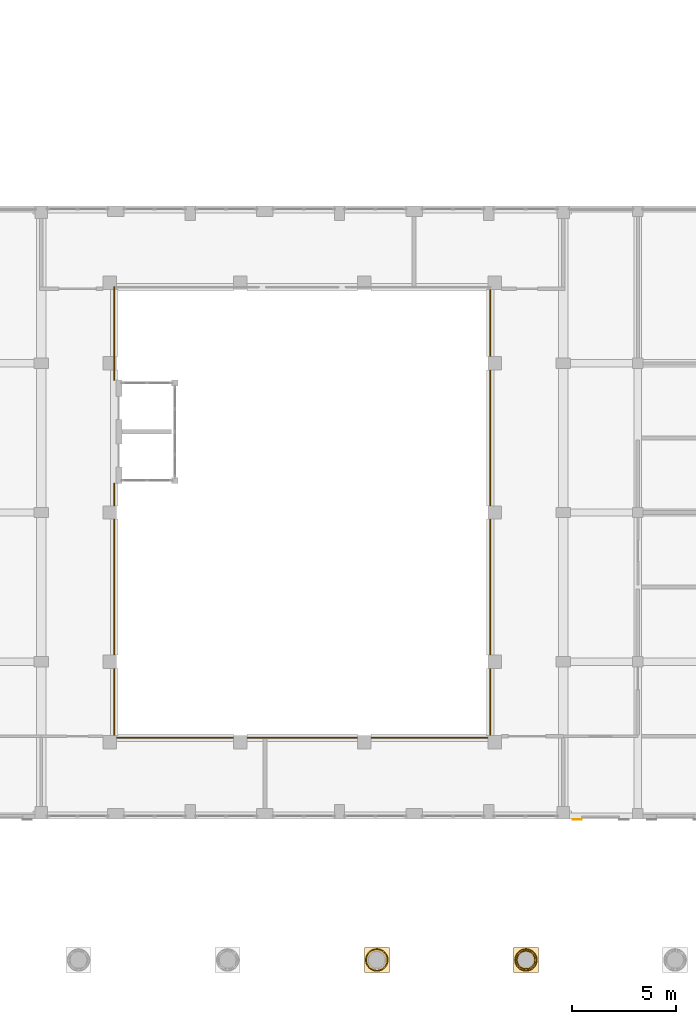
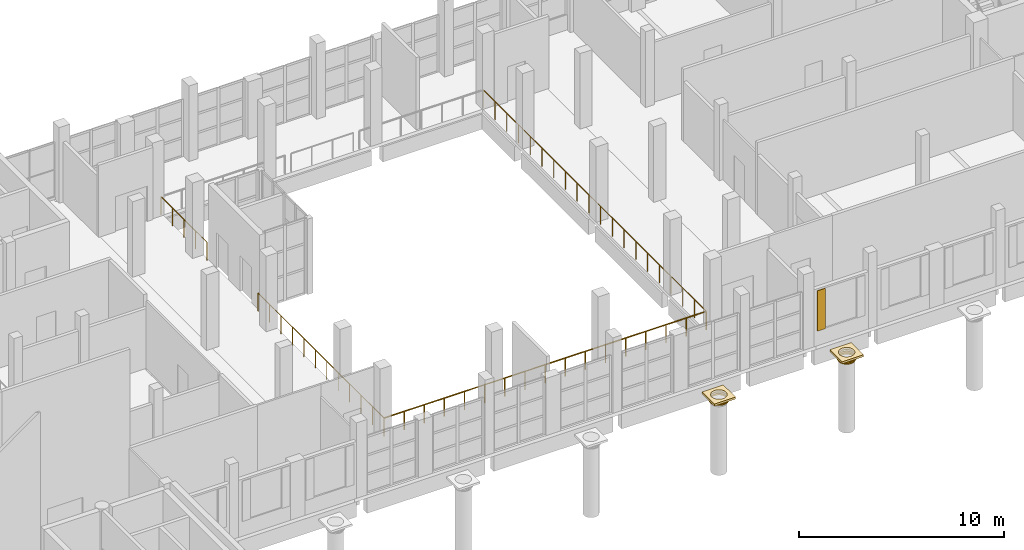
# One storey, part 36 of 59: 7 coverings, 4 railings, 1 shading device.
"""IFC4 building model written with IfcOpenShell, lengths in metres."""

import ifcopenshell
import ifcopenshell.guid

model = None  # the IFC model being written
_history = None  # IfcOwnerHistory: only IFC2X3 demands one
_inside = {}  # id of a spatial element -> (the spatial element, [elements in it])
_under = {}  # id of a project, library or spatial element -> (it, [spatial elements below it])
_declared = {}  # id of a project -> (the project, [libraries it declares])
_typed = {}  # id of a type object -> (the type object, [elements of that type])
_made_of = {}  # id of a material, layer set ... -> (it, [elements and type objects made of it])


def new_model(schema):
    """Start an empty IFC model of exactly this schema.

    Asked for "IFC4X3", IfcOpenShell would pick the latest addendum, in which some entities
    have other attributes; the version numbers below select the first issue.
    IFC2X3 requires an IfcOwnerHistory on every rooted entity: one is made here for all.
    """
    global model, _history
    if schema == "IFC4X3":
        model = ifcopenshell.file(schema_version=(4, 3, 0, 0))
    else:
        model = ifcopenshell.file(schema=schema)
    _inside.clear()
    _under.clear()
    _declared.clear()
    _typed.clear()
    _made_of.clear()
    _history = None
    if model.schema == "IFC2X3":
        org = make("IfcOrganization", Name="unknown")
        user = make(
            "IfcPersonAndOrganization",
            ThePerson=make("IfcPerson", FamilyName="unknown"),
            TheOrganization=org,
        )
        app = make(
            "IfcApplication",
            ApplicationDeveloper=org,
            Version="unknown",
            ApplicationFullName="unknown",
            ApplicationIdentifier="unknown",
        )
        _history = make(
            "IfcOwnerHistory",
            OwningUser=user,
            OwningApplication=app,
            ChangeAction="ADDED",
            CreationDate=0,
        )
    return model


def make(cls, **values):
    """One entity of the class cls with the attributes given. An attribute that is None is left unset."""
    return model.create_entity(
        cls, **{name: value for name, value in values.items() if value is not None}
    )


def rooted(cls, **values):
    """An entity with a GlobalId (a new one), such as an element, a storey or a relation."""
    return make(cls, GlobalId=ifcopenshell.guid.new(), OwnerHistory=_history, **values)


def si_unit(unit_type, name, prefix=None):
    """IfcSIUnit, for example si_unit("LENGTHUNIT", "METRE", prefix="MILLI")."""
    return make("IfcSIUnit", UnitType=unit_type, Prefix=prefix, Name=name)


def assignment(units):
    """IfcUnitAssignment: the units of a project."""
    return None if units is None else make("IfcUnitAssignment", Units=units)


def point(xyz):
    """IfcCartesianPoint."""
    return None if xyz is None else make("IfcCartesianPoint", Coordinates=xyz)


def direction(xyz):
    """IfcDirection."""
    return None if xyz is None else make("IfcDirection", DirectionRatios=xyz)


def frame(location, z_axis=None, x_axis=None):
    """IfcAxis2Placement3D, a coordinate frame: its origin and axes. An axis left out is left unset."""
    return make(
        "IfcAxis2Placement3D",
        Location=point(location),
        Axis=direction(z_axis),
        RefDirection=direction(x_axis),
    )


def frame_2d(location, x_axis=None):
    """IfcAxis2Placement2D, a coordinate frame in the plane: its origin and x axis."""
    return make(
        "IfcAxis2Placement2D", Location=point(location), RefDirection=direction(x_axis)
    )


def origin():
    """The frame at (0, 0, 0) with its axes left unset."""
    return frame((0.0, 0.0, 0.0))


def origin_2d():
    """The frame at (0, 0) in the plane with its x axis left unset."""
    return frame_2d((0.0, 0.0))


def place(relative_to, where):
    """IfcLocalPlacement: puts the frame where relative to a parent placement (None: the world)."""
    return make(
        "IfcLocalPlacement", PlacementRelTo=relative_to, RelativePlacement=where
    )


def context(
    kind, dimensions, precision=None, world=None, true_north=None, identifier=None
):
    """IfcGeometricRepresentationContext, for example the 3D "Model" context."""
    return make(
        "IfcGeometricRepresentationContext",
        ContextIdentifier=identifier,
        ContextType=kind,
        CoordinateSpaceDimension=dimensions,
        Precision=precision,
        WorldCoordinateSystem=world,
        TrueNorth=true_north,
    )


def subcontext(parent, identifier, kind, view, scale=None):
    """IfcGeometricRepresentationSubContext, for example "Body" below "Model"."""
    return make(
        "IfcGeometricRepresentationSubContext",
        ContextIdentifier=identifier,
        ContextType=kind,
        ParentContext=parent,
        TargetScale=scale,
        TargetView=view,
    )


def project(units=None, contexts=None):
    """IfcProject with its units and contexts."""
    return rooted(
        "IfcProject",
        Name="project",
        RepresentationContexts=contexts,
        UnitsInContext=assignment(units),
    )


def spatial(cls, under=None, at=None, **own):
    """A site, building, storey or space (cls), placed at a placement, below another one or the project."""
    s = rooted(cls, ObjectPlacement=at, **own)
    if under is not None:
        _under.setdefault(under.id(), (under, []))[1].append(s)
    return s


def polyline(points):
    """IfcPolyline through the points."""
    return make("IfcPolyline", Points=[point(p) for p in points])


def profile(cls, at=None, kind="AREA", **sizes):
    """A parametric profile (cls). Its sizes go by their IFC names, for example OverallWidth=200.0."""
    return make(cls, ProfileType=kind, Position=at, **sizes)


def rectangle(**sizes):
    """IfcRectangleProfileDef."""
    return profile("IfcRectangleProfileDef", **sizes)


def circle(**sizes):
    """IfcCircleProfileDef."""
    return profile("IfcCircleProfileDef", **sizes)


def outline(outer, holes=None, kind="AREA"):
    """IfcArbitraryClosedProfileDef: a profile drawn as a closed curve; with holes, ...WithVoids."""
    if holes is None:
        return make("IfcArbitraryClosedProfileDef", ProfileType=kind, OuterCurve=outer)
    return make(
        "IfcArbitraryProfileDefWithVoids",
        ProfileType=kind,
        OuterCurve=outer,
        InnerCurves=holes,
    )


def extrude(swept, where, along, depth):
    """IfcExtrudedAreaSolid: the profile swept, set in the frame where, extruded along a direction by depth."""
    return make(
        "IfcExtrudedAreaSolid",
        SweptArea=swept,
        Position=where,
        ExtrudedDirection=direction(along),
        Depth=depth,
    )


def shape(context_of_items, identifier, shape_type, items):
    """IfcShapeRepresentation: the items that make up one representation, for example the "Body"."""
    return make(
        "IfcShapeRepresentation",
        ContextOfItems=context_of_items,
        RepresentationIdentifier=identifier,
        RepresentationType=shape_type,
        Items=items,
    )


def material(Name=None, Category=None):
    """IfcMaterial."""
    return make("IfcMaterial", Name=Name, Category=Category)


def layer(
    of_material, thickness, ventilated=None, Name=None, Category=None, Priority=None
):
    """IfcMaterialLayer: one layer of a wall or slab, of a material (None: an air gap)."""
    return make(
        "IfcMaterialLayer",
        Material=of_material,
        LayerThickness=thickness,
        IsVentilated=ventilated,
        Name=Name,
        Category=Category,
        Priority=Priority,
    )


def layer_set(layers, Name=None):
    """IfcMaterialLayerSet."""
    return make("IfcMaterialLayerSet", MaterialLayers=layers, LayerSetName=Name)


def made_of(thing, what):
    """Note that an element or type object is made of a material, layer set ...; save() writes the relation."""
    if what is not None:
        _made_of.setdefault(what.id(), (what, []))[1].append(thing)
    return thing


def type_object(cls, material=None, **own):
    """A type object (cls), such as IfcWallType, which elements share."""
    return made_of(rooted(cls, **own), material)


def element(
    cls,
    number,
    at=None,
    inside=None,
    cuts=None,
    type_object=None,
    material=None,
    context=None,
    identifier="Body",
    shape_type=None,
    held_by="IfcProductDefinitionShape",
    body=None,
    shapes=None,
    **own,
):
    """One element of the class cls, such as IfcWall. Its Tag is "e" and its number.

    at: its placement. inside: the storey or other place that contains it. cuts: it is an
    opening in that element (IfcRelVoidsElement). A single representation is given by context,
    identifier, shape_type and body (its items); several are given by shapes. held_by: the class
    of the entity that holds the representations. save() writes the other relations.
    """
    e = rooted(cls, Tag="e%d" % number, ObjectPlacement=at, **own)
    if body is not None:
        shapes = [shape(context, identifier, shape_type, body)]
    if shapes is not None:
        e.Representation = make(held_by, Representations=shapes)
    if inside is not None:
        _inside.setdefault(inside.id(), (inside, []))[1].append(e)
    if cuts is not None:
        rooted(
            "IfcRelVoidsElement", RelatingBuildingElement=cuts, RelatedOpeningElement=e
        )
    if type_object is not None:
        _typed.setdefault(type_object.id(), (type_object, []))[1].append(e)
    return made_of(e, material)


def aggregate(whole, parts):
    """IfcRelAggregates: a whole, such as a stair, and the parts it consists of."""
    return rooted("IfcRelAggregates", RelatingObject=whole, RelatedObjects=parts)


def save(model, path):
    """Write the relations noted so far, then the file.

    IfcRelAggregates (storeys below a building ...), IfcRelContainedInSpatialStructure (elements
    in a storey), IfcRelDefinesByType, IfcRelAssociatesMaterial and IfcRelDeclares: one each for
    every whole, place, type object, material and project.
    """
    for whole, parts in _under.values():
        aggregate(whole, parts)
    for where, things in _inside.values():
        rooted(
            "IfcRelContainedInSpatialStructure",
            RelatedElements=things,
            RelatingStructure=where,
        )
    for kind, things in _typed.values():
        rooted("IfcRelDefinesByType", RelatedObjects=things, RelatingType=kind)
    for what, things in _made_of.values():
        rooted("IfcRelAssociatesMaterial", RelatedObjects=things, RelatingMaterial=what)
    for by, libraries in _declared.values():
        rooted("IfcRelDeclares", RelatingContext=by, RelatedDefinitions=libraries)
    model.write(path)


model = new_model("IFC4")

# Units and contexts
model_context = context("Model", 3, precision=1e-05, world=origin(), true_north=direction((0.0, 1.0)))
body_context = subcontext(model_context, "Body", "Model", "MODEL_VIEW")
ifc_project = project(units=[si_unit("LENGTHUNIT", "METRE"), si_unit("AREAUNIT", "SQUARE_METRE"), si_unit("VOLUMEUNIT", "CUBIC_METRE"), si_unit("PLANEANGLEUNIT", "RADIAN"), si_unit("MASSUNIT", "GRAM", prefix="KILO")], contexts=[model_context])

# Site, building, storey
site_placement = place(None, origin())
site = spatial("IfcSite", under=ifc_project, at=site_placement, CompositionType="ELEMENT")
building_placement = place(site_placement, origin())
building = spatial("IfcBuilding", under=site, at=building_placement, Name="Ussher Court Research Institute", CompositionType="ELEMENT")
storey_placement = place(building_placement, frame((0.0, 0.0, 5.39990234375)))
storey = spatial("IfcBuildingStorey", under=building, at=storey_placement, Name="L01", CompositionType="ELEMENT", Elevation=5.39990234375)

# Coverings
ifc_material_1 = material(Name="Limestone cornice", Category="masonry")
covering_type_1 = type_object("IfcCoveringType", Name="Column abacus 800 1200x120", PredefinedType="CLADDING", material=ifc_material_1)
covering_1_placement = place(storey_placement, frame((0.0, 0.0, 4.420166015625)))
element("IfcCovering", 1, at=covering_1_placement, inside=storey, type_object=covering_type_1, Name="Column capital CC19", PredefinedType="CLADDING", context=body_context, shape_type="SweptSolid", body=[
    extrude(outline(polyline([(55.800048828125, 3.39990234375), (55.800048828125, 4.60009765625), (54.60009765625, 4.60009765625), (54.60009765625, 3.39990234375), (55.800048828125, 3.39990234375)]), holes=[polyline([(55.600830078125, 4.0), (55.597412109375, 4.05224609375), (55.587158203125, 4.103759765625), (55.5703125, 4.1533203125), (55.547119140625, 4.200439453125), (55.51806640625, 4.243896484375), (55.4833984375, 4.283447265625), (55.444091796875, 4.318115234375), (55.400390625, 4.34716796875), (55.353515625, 4.370361328125), (55.3037109375, 4.38720703125), (55.252197265625, 4.3974609375), (55.199951171875, 4.40087890625), (55.147705078125, 4.3974609375), (55.09619140625, 4.38720703125), (55.046630859375, 4.370361328125), (54.99951171875, 4.34716796875), (54.9560546875, 4.318115234375), (54.91650390625, 4.283447265625), (54.882080078125, 4.243896484375), (54.852783203125, 4.200439453125), (54.82958984375, 4.1533203125), (54.812744140625, 4.103759765625), (54.802490234375, 4.05224609375), (54.799072265625, 4.0), (54.802490234375, 3.94775390625), (54.812744140625, 3.896240234375), (54.82958984375, 3.8466796875), (54.852783203125, 3.799560546875), (54.882080078125, 3.756103515625), (54.91650390625, 3.716552734375), (54.9560546875, 3.681884765625), (54.99951171875, 3.65283203125), (55.046630859375, 3.629638671875), (55.09619140625, 3.61279296875), (55.147705078125, 3.6025390625), (55.199951171875, 3.59912109375), (55.252197265625, 3.6025390625), (55.3037109375, 3.61279296875), (55.353515625, 3.629638671875), (55.400390625, 3.65283203125), (55.444091796875, 3.681884765625), (55.4833984375, 3.716552734375), (55.51806640625, 3.756103515625), (55.547119140625, 3.799560546875), (55.5703125, 3.8466796875), (55.587158203125, 3.896240234375), (55.597412109375, 3.94775390625), (55.600830078125, 4.0)])]), origin(), (0.0, 0.0, 1.0), 0.119873046875),
])
covering_2_placement = place(storey_placement, frame((0.0, 0.0, 4.420166015625)))
element("IfcCovering", 2, at=covering_2_placement, inside=storey, type_object=covering_type_1, Name="Column capital CC19", PredefinedType="CLADDING", context=body_context, shape_type="SweptSolid", body=[
    extrude(outline(polyline([(63.0, 3.39990234375), (63.0, 4.60009765625), (61.800048828125, 4.60009765625), (61.800048828125, 3.39990234375), (63.0, 3.39990234375)]), holes=[polyline([(62.80078125, 4.0), (62.79736328125, 4.05224609375), (62.787109375, 4.103759765625), (62.770263671875, 4.1533203125), (62.747314453125, 4.200439453125), (62.718017578125, 4.243896484375), (62.683349609375, 4.283447265625), (62.64404296875, 4.318115234375), (62.600341796875, 4.34716796875), (62.553466796875, 4.370361328125), (62.503662109375, 4.38720703125), (62.452392578125, 4.3974609375), (62.39990234375, 4.40087890625), (62.34765625, 4.3974609375), (62.29638671875, 4.38720703125), (62.24658203125, 4.370361328125), (62.19970703125, 4.34716796875), (62.156005859375, 4.318115234375), (62.11669921875, 4.283447265625), (62.08203125, 4.243896484375), (62.052734375, 4.200439453125), (62.02978515625, 4.1533203125), (62.0126953125, 4.103759765625), (62.002685546875, 4.05224609375), (61.9990234375, 4.0), (62.002685546875, 3.94775390625), (62.0126953125, 3.896240234375), (62.02978515625, 3.8466796875), (62.052734375, 3.799560546875), (62.08203125, 3.756103515625), (62.11669921875, 3.716552734375), (62.156005859375, 3.681884765625), (62.19970703125, 3.65283203125), (62.24658203125, 3.629638671875), (62.29638671875, 3.61279296875), (62.34765625, 3.6025390625), (62.39990234375, 3.59912109375), (62.452392578125, 3.6025390625), (62.503662109375, 3.61279296875), (62.553466796875, 3.629638671875), (62.600341796875, 3.65283203125), (62.64404296875, 3.681884765625), (62.683349609375, 3.716552734375), (62.718017578125, 3.756103515625), (62.747314453125, 3.799560546875), (62.770263671875, 3.8466796875), (62.787109375, 3.896240234375), (62.79736328125, 3.94775390625), (62.80078125, 4.0)])]), origin(), (0.0, 0.0, 1.0), 0.119873046875),
])
ifc_material_2 = material(Name="Limestone cornice", Category="masonry")
covering_type_2 = type_object("IfcCoveringType", Name="Column capital echinus 800 1000x100", PredefinedType="CLADDING", material=ifc_material_2)
covering_3_placement = place(storey_placement, frame((0.0, 0.0, 4.22021484375)))
element("IfcCovering", 3, at=covering_3_placement, inside=storey, type_object=covering_type_2, Name="Column capital CC17", PredefinedType="CLADDING", context=body_context, shape_type="SweptSolid", body=[
    extrude(outline(polyline([(55.699951171875, 4.0), (55.69580078125, 4.065185546875), (55.68310546875, 4.12939453125), (55.661865234375, 4.19140625), (55.633056640625, 4.25), (55.5966796875, 4.304443359375), (55.5537109375, 4.353515625), (55.50439453125, 4.396728515625), (55.449951171875, 4.43310546875), (55.391357421875, 4.4619140625), (55.329345703125, 4.48291015625), (55.265380859375, 4.49560546875), (55.199951171875, 4.5), (55.134765625, 4.49560546875), (55.070556640625, 4.48291015625), (55.0087890625, 4.4619140625), (54.949951171875, 4.43310546875), (54.8955078125, 4.396728515625), (54.846435546875, 4.353515625), (54.80322265625, 4.304443359375), (54.76708984375, 4.25), (54.738037109375, 4.19140625), (54.717041015625, 4.12939453125), (54.704345703125, 4.065185546875), (54.699951171875, 4.0), (54.704345703125, 3.934814453125), (54.717041015625, 3.87060546875), (54.738037109375, 3.80859375), (54.76708984375, 3.75), (54.80322265625, 3.695556640625), (54.846435546875, 3.646484375), (54.8955078125, 3.603271484375), (54.949951171875, 3.56689453125), (55.0087890625, 3.5380859375), (55.070556640625, 3.51708984375), (55.134765625, 3.50439453125), (55.199951171875, 3.5), (55.265380859375, 3.50439453125), (55.329345703125, 3.51708984375), (55.391357421875, 3.5380859375), (55.449951171875, 3.56689453125), (55.50439453125, 3.603271484375), (55.5537109375, 3.646484375), (55.5966796875, 3.695556640625), (55.633056640625, 3.75), (55.661865234375, 3.80859375), (55.68310546875, 3.87060546875), (55.69580078125, 3.934814453125), (55.699951171875, 4.0)]), holes=[polyline([(55.600830078125, 4.0), (55.597412109375, 4.05224609375), (55.587158203125, 4.103759765625), (55.5703125, 4.1533203125), (55.547119140625, 4.200439453125), (55.51806640625, 4.243896484375), (55.4833984375, 4.283447265625), (55.444091796875, 4.318115234375), (55.400390625, 4.34716796875), (55.353515625, 4.370361328125), (55.3037109375, 4.38720703125), (55.252197265625, 4.3974609375), (55.199951171875, 4.40087890625), (55.147705078125, 4.3974609375), (55.09619140625, 4.38720703125), (55.046630859375, 4.370361328125), (54.99951171875, 4.34716796875), (54.9560546875, 4.318115234375), (54.91650390625, 4.283447265625), (54.882080078125, 4.243896484375), (54.852783203125, 4.200439453125), (54.82958984375, 4.1533203125), (54.812744140625, 4.103759765625), (54.802490234375, 4.05224609375), (54.799072265625, 4.0), (54.802490234375, 3.94775390625), (54.812744140625, 3.896240234375), (54.82958984375, 3.8466796875), (54.852783203125, 3.799560546875), (54.882080078125, 3.756103515625), (54.91650390625, 3.716552734375), (54.9560546875, 3.681884765625), (54.99951171875, 3.65283203125), (55.046630859375, 3.629638671875), (55.09619140625, 3.61279296875), (55.147705078125, 3.6025390625), (55.199951171875, 3.59912109375), (55.252197265625, 3.6025390625), (55.3037109375, 3.61279296875), (55.353515625, 3.629638671875), (55.400390625, 3.65283203125), (55.444091796875, 3.681884765625), (55.4833984375, 3.716552734375), (55.51806640625, 3.756103515625), (55.547119140625, 3.799560546875), (55.5703125, 3.8466796875), (55.587158203125, 3.896240234375), (55.597412109375, 3.94775390625), (55.600830078125, 4.0)])]), origin(), (0.0, 0.0, 1.0), 0.099853515625),
])
covering_4_placement = place(storey_placement, frame((0.0, 0.0, 4.22021484375)))
element("IfcCovering", 4, at=covering_4_placement, inside=storey, type_object=covering_type_2, Name="Column capital CC17", PredefinedType="CLADDING", context=body_context, shape_type="SweptSolid", body=[
    extrude(outline(polyline([(62.89990234375, 4.0), (62.895751953125, 4.065185546875), (62.883056640625, 4.12939453125), (62.86181640625, 4.19140625), (62.8330078125, 4.25), (62.796630859375, 4.304443359375), (62.753662109375, 4.353515625), (62.704345703125, 4.396728515625), (62.64990234375, 4.43310546875), (62.59130859375, 4.4619140625), (62.529296875, 4.48291015625), (62.46533203125, 4.49560546875), (62.39990234375, 4.5), (62.334716796875, 4.49560546875), (62.2705078125, 4.48291015625), (62.208740234375, 4.4619140625), (62.14990234375, 4.43310546875), (62.095703125, 4.396728515625), (62.04638671875, 4.353515625), (62.00341796875, 4.304443359375), (61.967041015625, 4.25), (61.93798828125, 4.19140625), (61.9169921875, 4.12939453125), (61.904296875, 4.065185546875), (61.89990234375, 4.0), (61.904296875, 3.934814453125), (61.9169921875, 3.87060546875), (61.93798828125, 3.80859375), (61.967041015625, 3.75), (62.00341796875, 3.695556640625), (62.04638671875, 3.646484375), (62.095703125, 3.603271484375), (62.14990234375, 3.56689453125), (62.208740234375, 3.5380859375), (62.2705078125, 3.51708984375), (62.334716796875, 3.50439453125), (62.39990234375, 3.5), (62.46533203125, 3.50439453125), (62.529296875, 3.51708984375), (62.59130859375, 3.5380859375), (62.64990234375, 3.56689453125), (62.704345703125, 3.603271484375), (62.753662109375, 3.646484375), (62.796630859375, 3.695556640625), (62.8330078125, 3.75), (62.86181640625, 3.80859375), (62.883056640625, 3.87060546875), (62.895751953125, 3.934814453125), (62.89990234375, 4.0)]), holes=[polyline([(62.80078125, 4.0), (62.79736328125, 4.05224609375), (62.787109375, 4.103759765625), (62.770263671875, 4.1533203125), (62.747314453125, 4.200439453125), (62.718017578125, 4.243896484375), (62.683349609375, 4.283447265625), (62.64404296875, 4.318115234375), (62.600341796875, 4.34716796875), (62.553466796875, 4.370361328125), (62.503662109375, 4.38720703125), (62.452392578125, 4.3974609375), (62.39990234375, 4.40087890625), (62.34765625, 4.3974609375), (62.29638671875, 4.38720703125), (62.24658203125, 4.370361328125), (62.19970703125, 4.34716796875), (62.156005859375, 4.318115234375), (62.11669921875, 4.283447265625), (62.08203125, 4.243896484375), (62.052734375, 4.200439453125), (62.02978515625, 4.1533203125), (62.0126953125, 4.103759765625), (62.002685546875, 4.05224609375), (61.9990234375, 4.0), (62.002685546875, 3.94775390625), (62.0126953125, 3.896240234375), (62.02978515625, 3.8466796875), (62.052734375, 3.799560546875), (62.08203125, 3.756103515625), (62.11669921875, 3.716552734375), (62.156005859375, 3.681884765625), (62.19970703125, 3.65283203125), (62.24658203125, 3.629638671875), (62.29638671875, 3.61279296875), (62.34765625, 3.6025390625), (62.39990234375, 3.59912109375), (62.452392578125, 3.6025390625), (62.503662109375, 3.61279296875), (62.553466796875, 3.629638671875), (62.600341796875, 3.65283203125), (62.64404296875, 3.681884765625), (62.683349609375, 3.716552734375), (62.718017578125, 3.756103515625), (62.747314453125, 3.799560546875), (62.770263671875, 3.8466796875), (62.787109375, 3.896240234375), (62.79736328125, 3.94775390625), (62.80078125, 4.0)])]), origin(), (0.0, 0.0, 1.0), 0.099853515625),
])
ifc_material_3 = material(Name="Limestone cornice", Category="masonry")
covering_type_3 = type_object("IfcCoveringType", Name="Column capital neck 800 896x100", PredefinedType="CLADDING", material=ifc_material_3)
covering_5_placement = place(storey_placement, frame((0.0, 0.0, 4.1201171875)))
element("IfcCovering", 5, at=covering_5_placement, inside=storey, type_object=covering_type_3, Name="Column capital CC16", PredefinedType="CLADDING", context=body_context, shape_type="SweptSolid", body=[
    extrude(outline(polyline([(62.847900390625, 4.0), (62.84423828125, 4.05859375), (62.832763671875, 4.115966796875), (62.81396484375, 4.17138671875), (62.7880859375, 4.22412109375), (62.75537109375, 4.272705078125), (62.716796875, 4.31689453125), (62.672607421875, 4.35546875), (62.6240234375, 4.387939453125), (62.5712890625, 4.413818359375), (62.51611328125, 4.4326171875), (62.45849609375, 4.444091796875), (62.39990234375, 4.447998046875), (62.341552734375, 4.444091796875), (62.283935546875, 4.4326171875), (62.228515625, 4.413818359375), (62.176025390625, 4.387939453125), (62.127197265625, 4.35546875), (62.083251953125, 4.31689453125), (62.044677734375, 4.272705078125), (62.011962890625, 4.22412109375), (61.986083984375, 4.17138671875), (61.96728515625, 4.115966796875), (61.955810546875, 4.05859375), (61.951904296875, 4.0), (61.955810546875, 3.94140625), (61.96728515625, 3.884033203125), (61.986083984375, 3.82861328125), (62.011962890625, 3.77587890625), (62.044677734375, 3.727294921875), (62.083251953125, 3.68310546875), (62.127197265625, 3.64453125), (62.176025390625, 3.612060546875), (62.228515625, 3.586181640625), (62.283935546875, 3.5673828125), (62.341552734375, 3.555908203125), (62.39990234375, 3.552001953125), (62.45849609375, 3.555908203125), (62.51611328125, 3.5673828125), (62.5712890625, 3.586181640625), (62.6240234375, 3.612060546875), (62.672607421875, 3.64453125), (62.716796875, 3.68310546875), (62.75537109375, 3.727294921875), (62.7880859375, 3.77587890625), (62.81396484375, 3.82861328125), (62.832763671875, 3.884033203125), (62.84423828125, 3.94140625), (62.847900390625, 4.0)]), holes=[polyline([(62.80078125, 4.0), (62.79736328125, 4.05224609375), (62.787109375, 4.103759765625), (62.770263671875, 4.1533203125), (62.747314453125, 4.200439453125), (62.718017578125, 4.243896484375), (62.683349609375, 4.283447265625), (62.64404296875, 4.318115234375), (62.600341796875, 4.34716796875), (62.553466796875, 4.370361328125), (62.503662109375, 4.38720703125), (62.452392578125, 4.3974609375), (62.39990234375, 4.40087890625), (62.34765625, 4.3974609375), (62.29638671875, 4.38720703125), (62.24658203125, 4.370361328125), (62.19970703125, 4.34716796875), (62.156005859375, 4.318115234375), (62.11669921875, 4.283447265625), (62.08203125, 4.243896484375), (62.052734375, 4.200439453125), (62.02978515625, 4.1533203125), (62.0126953125, 4.103759765625), (62.002685546875, 4.05224609375), (61.9990234375, 4.0), (62.002685546875, 3.94775390625), (62.0126953125, 3.896240234375), (62.02978515625, 3.8466796875), (62.052734375, 3.799560546875), (62.08203125, 3.756103515625), (62.11669921875, 3.716552734375), (62.156005859375, 3.681884765625), (62.19970703125, 3.65283203125), (62.24658203125, 3.629638671875), (62.29638671875, 3.61279296875), (62.34765625, 3.6025390625), (62.39990234375, 3.59912109375), (62.452392578125, 3.6025390625), (62.503662109375, 3.61279296875), (62.553466796875, 3.629638671875), (62.600341796875, 3.65283203125), (62.64404296875, 3.681884765625), (62.683349609375, 3.716552734375), (62.718017578125, 3.756103515625), (62.747314453125, 3.799560546875), (62.770263671875, 3.8466796875), (62.787109375, 3.896240234375), (62.79736328125, 3.94775390625), (62.80078125, 4.0)])]), origin(), (0.0, 0.0, 1.0), 0.10009765625),
])
ifc_material_4 = material(Name="Limestone cornice", Category="masonry")
covering_type_4 = type_object("IfcCoveringType", Name="Column capital ovolo 800 1088x100", PredefinedType="CLADDING", material=ifc_material_4)
covering_6_placement = place(storey_placement, frame((0.0, 0.0, 4.320068359375)))
element("IfcCovering", 6, at=covering_6_placement, inside=storey, type_object=covering_type_4, Name="Column capital CC18", PredefinedType="CLADDING", context=body_context, shape_type="SweptSolid", body=[
    extrude(outline(polyline([(55.743896484375, 4.0), (55.7392578125, 4.071044921875), (55.7255859375, 4.140869140625), (55.70263671875, 4.208251953125), (55.671142578125, 4.27197265625), (55.631591796875, 4.331298828125), (55.584716796875, 4.384765625), (55.53125, 4.431640625), (55.471923828125, 4.47119140625), (55.408203125, 4.502685546875), (55.3408203125, 4.525390625), (55.27099609375, 4.539306640625), (55.199951171875, 4.5439453125), (55.12890625, 4.539306640625), (55.05908203125, 4.525390625), (54.99169921875, 4.502685546875), (54.927978515625, 4.47119140625), (54.868896484375, 4.431640625), (54.815185546875, 4.384765625), (54.768310546875, 4.331298828125), (54.72900390625, 4.27197265625), (54.697509765625, 4.208251953125), (54.674560546875, 4.140869140625), (54.66064453125, 4.071044921875), (54.656005859375, 4.0), (54.66064453125, 3.928955078125), (54.674560546875, 3.859130859375), (54.697509765625, 3.791748046875), (54.72900390625, 3.72802734375), (54.768310546875, 3.668701171875), (54.815185546875, 3.615234375), (54.868896484375, 3.568359375), (54.927978515625, 3.52880859375), (54.99169921875, 3.497314453125), (55.05908203125, 3.474609375), (55.12890625, 3.460693359375), (55.199951171875, 3.4560546875), (55.27099609375, 3.460693359375), (55.3408203125, 3.474609375), (55.408203125, 3.497314453125), (55.471923828125, 3.52880859375), (55.53125, 3.568359375), (55.584716796875, 3.615234375), (55.631591796875, 3.668701171875), (55.671142578125, 3.72802734375), (55.70263671875, 3.791748046875), (55.7255859375, 3.859130859375), (55.7392578125, 3.928955078125), (55.743896484375, 4.0)]), holes=[polyline([(55.600830078125, 4.0), (55.597412109375, 4.05224609375), (55.587158203125, 4.103759765625), (55.5703125, 4.1533203125), (55.547119140625, 4.200439453125), (55.51806640625, 4.243896484375), (55.4833984375, 4.283447265625), (55.444091796875, 4.318115234375), (55.400390625, 4.34716796875), (55.353515625, 4.370361328125), (55.3037109375, 4.38720703125), (55.252197265625, 4.3974609375), (55.199951171875, 4.40087890625), (55.147705078125, 4.3974609375), (55.09619140625, 4.38720703125), (55.046630859375, 4.370361328125), (54.99951171875, 4.34716796875), (54.9560546875, 4.318115234375), (54.91650390625, 4.283447265625), (54.882080078125, 4.243896484375), (54.852783203125, 4.200439453125), (54.82958984375, 4.1533203125), (54.812744140625, 4.103759765625), (54.802490234375, 4.05224609375), (54.799072265625, 4.0), (54.802490234375, 3.94775390625), (54.812744140625, 3.896240234375), (54.82958984375, 3.8466796875), (54.852783203125, 3.799560546875), (54.882080078125, 3.756103515625), (54.91650390625, 3.716552734375), (54.9560546875, 3.681884765625), (54.99951171875, 3.65283203125), (55.046630859375, 3.629638671875), (55.09619140625, 3.61279296875), (55.147705078125, 3.6025390625), (55.199951171875, 3.59912109375), (55.252197265625, 3.6025390625), (55.3037109375, 3.61279296875), (55.353515625, 3.629638671875), (55.400390625, 3.65283203125), (55.444091796875, 3.681884765625), (55.4833984375, 3.716552734375), (55.51806640625, 3.756103515625), (55.547119140625, 3.799560546875), (55.5703125, 3.8466796875), (55.587158203125, 3.896240234375), (55.597412109375, 3.94775390625), (55.600830078125, 4.0)])]), origin(), (0.0, 0.0, 1.0), 0.10009765625),
])
covering_7_placement = place(storey_placement, frame((0.0, 0.0, 4.320068359375)))
element("IfcCovering", 7, at=covering_7_placement, inside=storey, type_object=covering_type_4, Name="Column capital CC18", PredefinedType="CLADDING", context=body_context, shape_type="SweptSolid", body=[
    extrude(outline(polyline([(62.944091796875, 4.0), (62.939208984375, 4.071044921875), (62.925537109375, 4.140869140625), (62.902587890625, 4.208251953125), (62.87109375, 4.27197265625), (62.83154296875, 4.331298828125), (62.78466796875, 4.384765625), (62.731201171875, 4.431640625), (62.672119140625, 4.47119140625), (62.608154296875, 4.502685546875), (62.540771484375, 4.525390625), (62.470947265625, 4.539306640625), (62.39990234375, 4.5439453125), (62.3291015625, 4.539306640625), (62.25927734375, 4.525390625), (62.19189453125, 4.502685546875), (62.1279296875, 4.47119140625), (62.06884765625, 4.431640625), (62.015380859375, 4.384765625), (61.968505859375, 4.331298828125), (61.928955078125, 4.27197265625), (61.8974609375, 4.208251953125), (61.87451171875, 4.140869140625), (61.860595703125, 4.071044921875), (61.85595703125, 4.0), (61.860595703125, 3.928955078125), (61.87451171875, 3.859130859375), (61.8974609375, 3.791748046875), (61.928955078125, 3.72802734375), (61.968505859375, 3.668701171875), (62.015380859375, 3.615234375), (62.06884765625, 3.568359375), (62.1279296875, 3.52880859375), (62.19189453125, 3.497314453125), (62.25927734375, 3.474609375), (62.3291015625, 3.460693359375), (62.39990234375, 3.4560546875), (62.470947265625, 3.460693359375), (62.540771484375, 3.474609375), (62.608154296875, 3.497314453125), (62.672119140625, 3.52880859375), (62.731201171875, 3.568359375), (62.78466796875, 3.615234375), (62.83154296875, 3.668701171875), (62.87109375, 3.72802734375), (62.902587890625, 3.791748046875), (62.925537109375, 3.859130859375), (62.939208984375, 3.928955078125), (62.944091796875, 4.0)]), holes=[polyline([(62.80078125, 4.0), (62.79736328125, 4.05224609375), (62.787109375, 4.103759765625), (62.770263671875, 4.1533203125), (62.747314453125, 4.200439453125), (62.718017578125, 4.243896484375), (62.683349609375, 4.283447265625), (62.64404296875, 4.318115234375), (62.600341796875, 4.34716796875), (62.553466796875, 4.370361328125), (62.503662109375, 4.38720703125), (62.452392578125, 4.3974609375), (62.39990234375, 4.40087890625), (62.34765625, 4.3974609375), (62.29638671875, 4.38720703125), (62.24658203125, 4.370361328125), (62.19970703125, 4.34716796875), (62.156005859375, 4.318115234375), (62.11669921875, 4.283447265625), (62.08203125, 4.243896484375), (62.052734375, 4.200439453125), (62.02978515625, 4.1533203125), (62.0126953125, 4.103759765625), (62.002685546875, 4.05224609375), (61.9990234375, 4.0), (62.002685546875, 3.94775390625), (62.0126953125, 3.896240234375), (62.02978515625, 3.8466796875), (62.052734375, 3.799560546875), (62.08203125, 3.756103515625), (62.11669921875, 3.716552734375), (62.156005859375, 3.681884765625), (62.19970703125, 3.65283203125), (62.24658203125, 3.629638671875), (62.29638671875, 3.61279296875), (62.34765625, 3.6025390625), (62.39990234375, 3.59912109375), (62.452392578125, 3.6025390625), (62.503662109375, 3.61279296875), (62.553466796875, 3.629638671875), (62.600341796875, 3.65283203125), (62.64404296875, 3.681884765625), (62.683349609375, 3.716552734375), (62.718017578125, 3.756103515625), (62.747314453125, 3.799560546875), (62.770263671875, 3.8466796875), (62.787109375, 3.896240234375), (62.79736328125, 3.94775390625), (62.80078125, 4.0)])]), origin(), (0.0, 0.0, 1.0), 0.10009765625),
])

# Railings
ifc_material_5 = material(Name="Painted steel balustrade", Category="steel")
railing_type = type_object("IfcRailingType", Name="Gallery guard 1100 steel balustrade", PredefinedType="GUARDRAIL", material=ifc_material_5)
railing_1_placement = place(storey_placement, frame((42.52001953125, 14.719970703125, 0.0)))
element("IfcRailing", 8, at=railing_1_placement, inside=storey, type_object=railing_type, Name="L01 Gallery guard", PredefinedType="GUARDRAIL", context=body_context, shape_type="SweptSolid", body=[
    extrude(circle(Radius=0.02392578125, at=origin_2d()), frame((0.0, 0.0, 1.076171875), z_axis=(1.0, 0.0, 0.0), x_axis=(0.0, 1.0, 0.0)), (0.0, 0.0, 1.0), 18.159912109375),
    extrude(circle(Radius=0.02099609375, at=origin_2d()), origin(), (0.0, 0.0, 1.0), 1.052001953125),
    extrude(circle(Radius=0.02099609375, at=origin_2d()), frame((1.135009765625, 0.0, 0.0)), (0.0, 0.0, 1.0), 1.052001953125),
    extrude(circle(Radius=0.02099609375, at=origin_2d()), frame((2.27001953125, 0.0, 0.0)), (0.0, 0.0, 1.0), 1.052001953125),
    extrude(circle(Radius=0.02099609375, at=origin_2d()), frame((3.405029296875, 0.0, 0.0)), (0.0, 0.0, 1.0), 1.052001953125),
    extrude(circle(Radius=0.02099609375, at=origin_2d()), frame((4.5400390625, 0.0, 0.0)), (0.0, 0.0, 1.0), 1.052001953125),
    extrude(circle(Radius=0.02099609375, at=origin_2d()), frame((5.675048828125, 0.0, 0.0)), (0.0, 0.0, 1.0), 1.052001953125),
    extrude(circle(Radius=0.02099609375, at=origin_2d()), frame((6.81005859375, 0.0, 0.0)), (0.0, 0.0, 1.0), 1.052001953125),
    extrude(circle(Radius=0.02099609375, at=origin_2d()), frame((7.945068359375, 0.0, 0.0)), (0.0, 0.0, 1.0), 1.052001953125),
    extrude(circle(Radius=0.02099609375, at=origin_2d()), frame((9.080078125, 0.0, 0.0)), (0.0, 0.0, 1.0), 1.052001953125),
    extrude(circle(Radius=0.02099609375, at=origin_2d()), frame((10.21484375, 0.0, 0.0)), (0.0, 0.0, 1.0), 1.052001953125),
    extrude(circle(Radius=0.02099609375, at=origin_2d()), frame((11.349853515625, 0.0, 0.0)), (0.0, 0.0, 1.0), 1.052001953125),
    extrude(circle(Radius=0.02099609375, at=origin_2d()), frame((12.48486328125, 0.0, 0.0)), (0.0, 0.0, 1.0), 1.052001953125),
    extrude(circle(Radius=0.02099609375, at=origin_2d()), frame((13.619873046875, 0.0, 0.0)), (0.0, 0.0, 1.0), 1.052001953125),
    extrude(circle(Radius=0.02099609375, at=origin_2d()), frame((14.7548828125, 0.0, 0.0)), (0.0, 0.0, 1.0), 1.052001953125),
    extrude(circle(Radius=0.02099609375, at=origin_2d()), frame((15.889892578125, 0.0, 0.0)), (0.0, 0.0, 1.0), 1.052001953125),
    extrude(circle(Radius=0.02099609375, at=origin_2d()), frame((17.02490234375, 0.0, 0.0)), (0.0, 0.0, 1.0), 1.052001953125),
    extrude(circle(Radius=0.02099609375, at=origin_2d()), frame((18.159912109375, 0.0, 0.0)), (0.0, 0.0, 1.0), 1.052001953125),
])
railing_2_placement = place(storey_placement, frame((60.679931640625, 14.719970703125, 0.0)))
element("IfcRailing", 9, at=railing_2_placement, inside=storey, type_object=railing_type, Name="L01 Gallery guard", PredefinedType="GUARDRAIL", context=body_context, shape_type="SweptSolid", body=[
    extrude(circle(Radius=0.02392578125, at=origin_2d()), frame((0.0, 0.0, 1.076171875), z_axis=(0.0, 1.0, 0.0), x_axis=(-1.0, 0.0, 0.0)), (0.0, 0.0, 1.0), 21.760009765625),
    extrude(circle(Radius=0.02099609375, at=origin_2d()), origin(), (0.0, 0.0, 1.0), 1.052001953125),
    extrude(circle(Radius=0.02099609375, at=origin_2d()), frame((0.0, 1.145263671875, 0.0)), (0.0, 0.0, 1.0), 1.052001953125),
    extrude(circle(Radius=0.02099609375, at=origin_2d()), frame((0.0, 2.29052734375, 0.0)), (0.0, 0.0, 1.0), 1.052001953125),
    extrude(circle(Radius=0.02099609375, at=origin_2d()), frame((0.0, 3.435791015625, 0.0)), (0.0, 0.0, 1.0), 1.052001953125),
    extrude(circle(Radius=0.02099609375, at=origin_2d()), frame((0.0, 4.5810546875, 0.0)), (0.0, 0.0, 1.0), 1.052001953125),
    extrude(circle(Radius=0.02099609375, at=origin_2d()), frame((0.0, 5.726318359375, 0.0)), (0.0, 0.0, 1.0), 1.052001953125),
    extrude(circle(Radius=0.02099609375, at=origin_2d()), frame((0.0, 6.87158203125, 0.0)), (0.0, 0.0, 1.0), 1.052001953125),
    extrude(circle(Radius=0.02099609375, at=origin_2d()), frame((0.0, 8.016845703125, 0.0)), (0.0, 0.0, 1.0), 1.052001953125),
    extrude(circle(Radius=0.02099609375, at=origin_2d()), frame((0.0, 9.162109375, 0.0)), (0.0, 0.0, 1.0), 1.052001953125),
    extrude(circle(Radius=0.02099609375, at=origin_2d()), frame((0.0, 10.307373046875, 0.0)), (0.0, 0.0, 1.0), 1.052001953125),
    extrude(circle(Radius=0.02099609375, at=origin_2d()), frame((0.0, 11.45263671875, 0.0)), (0.0, 0.0, 1.0), 1.052001953125),
    extrude(circle(Radius=0.02099609375, at=origin_2d()), frame((0.0, 12.597900390625, 0.0)), (0.0, 0.0, 1.0), 1.052001953125),
    extrude(circle(Radius=0.02099609375, at=origin_2d()), frame((0.0, 13.7431640625, 0.0)), (0.0, 0.0, 1.0), 1.052001953125),
    extrude(circle(Radius=0.02099609375, at=origin_2d()), frame((0.0, 14.888427734375, 0.0)), (0.0, 0.0, 1.0), 1.052001953125),
    extrude(circle(Radius=0.02099609375, at=origin_2d()), frame((0.0, 16.03369140625, 0.0)), (0.0, 0.0, 1.0), 1.052001953125),
    extrude(circle(Radius=0.02099609375, at=origin_2d()), frame((0.0, 17.178955078125, 0.0)), (0.0, 0.0, 1.0), 1.052001953125),
    extrude(circle(Radius=0.02099609375, at=origin_2d()), frame((0.0, 18.32421875, 0.0)), (0.0, 0.0, 1.0), 1.052001953125),
    extrude(circle(Radius=0.02099609375, at=origin_2d()), frame((0.0, 19.469482421875, 0.0)), (0.0, 0.0, 1.0), 1.052001953125),
    extrude(circle(Radius=0.02099609375, at=origin_2d()), frame((0.0, 20.61474609375, 0.0)), (0.0, 0.0, 1.0), 1.052001953125),
    extrude(circle(Radius=0.02099609375, at=origin_2d()), frame((0.0, 21.760009765625, 0.0)), (0.0, 0.0, 1.0), 1.052001953125),
])
railing_3_placement = place(storey_placement, frame((42.52001953125, 36.47998046875, 0.0)))
element("IfcRailing", 10, at=railing_3_placement, inside=storey, type_object=railing_type, Name="L01 Gallery guard", PredefinedType="GUARDRAIL", context=body_context, shape_type="SweptSolid", body=[
    extrude(circle(Radius=0.02392578125, at=origin_2d()), frame((0.0, 0.0, 1.076171875), z_axis=(0.0, -1.0, 0.0), x_axis=(1.0, 0.0, 0.0)), (0.0, 0.0, 1.0), 4.47998046875),
    extrude(circle(Radius=0.02099609375, at=origin_2d()), origin(), (0.0, 0.0, 1.0), 1.052001953125),
    extrude(circle(Radius=0.02099609375, at=origin_2d()), frame((0.0, -1.1201171875, 0.0)), (0.0, 0.0, 1.0), 1.052001953125),
    extrude(circle(Radius=0.02099609375, at=origin_2d()), frame((0.0, -2.239990234375, 0.0)), (0.0, 0.0, 1.0), 1.052001953125),
    extrude(circle(Radius=0.02099609375, at=origin_2d()), frame((0.0, -3.35986328125, 0.0)), (0.0, 0.0, 1.0), 1.052001953125),
    extrude(circle(Radius=0.02099609375, at=origin_2d()), frame((0.0, -4.47998046875, 0.0)), (0.0, 0.0, 1.0), 1.052001953125),
])
railing_4_placement = place(storey_placement, frame((42.52001953125, 27.0, 0.0)))
element("IfcRailing", 11, at=railing_4_placement, inside=storey, type_object=railing_type, Name="L01 Gallery guard", PredefinedType="GUARDRAIL", context=body_context, shape_type="SweptSolid", body=[
    extrude(circle(Radius=0.02392578125, at=origin_2d()), frame((0.0, 0.0, 1.076171875), z_axis=(0.0, -1.0, 0.0), x_axis=(1.0, 0.0, 0.0)), (0.0, 0.0, 1.0), 12.280029296875),
    extrude(circle(Radius=0.02099609375, at=origin_2d()), origin(), (0.0, 0.0, 1.0), 1.052001953125),
    extrude(circle(Radius=0.02099609375, at=origin_2d()), frame((0.0, -1.116455078125, 0.0)), (0.0, 0.0, 1.0), 1.052001953125),
    extrude(circle(Radius=0.02099609375, at=origin_2d()), frame((0.0, -2.232666015625, 0.0)), (0.0, 0.0, 1.0), 1.052001953125),
    extrude(circle(Radius=0.02099609375, at=origin_2d()), frame((0.0, -3.34912109375, 0.0)), (0.0, 0.0, 1.0), 1.052001953125),
    extrude(circle(Radius=0.02099609375, at=origin_2d()), frame((0.0, -4.465576171875, 0.0)), (0.0, 0.0, 1.0), 1.052001953125),
    extrude(circle(Radius=0.02099609375, at=origin_2d()), frame((0.0, -5.581787109375, 0.0)), (0.0, 0.0, 1.0), 1.052001953125),
    extrude(circle(Radius=0.02099609375, at=origin_2d()), frame((0.0, -6.6982421875, 0.0)), (0.0, 0.0, 1.0), 1.052001953125),
    extrude(circle(Radius=0.02099609375, at=origin_2d()), frame((0.0, -7.814453125, 0.0)), (0.0, 0.0, 1.0), 1.052001953125),
    extrude(circle(Radius=0.02099609375, at=origin_2d()), frame((0.0, -8.930908203125, 0.0)), (0.0, 0.0, 1.0), 1.052001953125),
    extrude(circle(Radius=0.02099609375, at=origin_2d()), frame((0.0, -10.04736328125, 0.0)), (0.0, 0.0, 1.0), 1.052001953125),
    extrude(circle(Radius=0.02099609375, at=origin_2d()), frame((0.0, -11.16357421875, 0.0)), (0.0, 0.0, 1.0), 1.052001953125),
    extrude(circle(Radius=0.02099609375, at=origin_2d()), frame((0.0, -12.280029296875, 0.0)), (0.0, 0.0, 1.0), 1.052001953125),
])

# Shading device
ifc_material_6 = material(Name="Timber louvred shutter", Category="wood")
ifc_layer = layer(ifc_material_6, 0.0400390625)
ifc_layer_set = layer_set([ifc_layer], Name="Timber louvred shutter")
shading_device_type = type_object("IfcShadingDeviceType", Name="Louvred shutter leaf 450x2400", PredefinedType="USERDEFINED", material=ifc_layer_set)
shading_device_placement = place(storey_placement, frame((64.875, 10.780029296875, 0.900146484375), z_axis=(0.0, 0.0, 1.0), x_axis=(-1.0, 0.0, 0.0)))
element("IfcShadingDevice", 12, at=shading_device_placement, inside=storey, type_object=shading_device_type, Name="Shutter LV2 L01", ObjectType="SHUTTER", PredefinedType="USERDEFINED", context=body_context, shape_type="SweptSolid", body=[
    extrude(rectangle(XDim=0.449951171875, YDim=0.0400390625, at=origin_2d()), origin(), (0.0, 0.0, 1.0), 2.39990234375),
])

save(model, "model.ifc")
